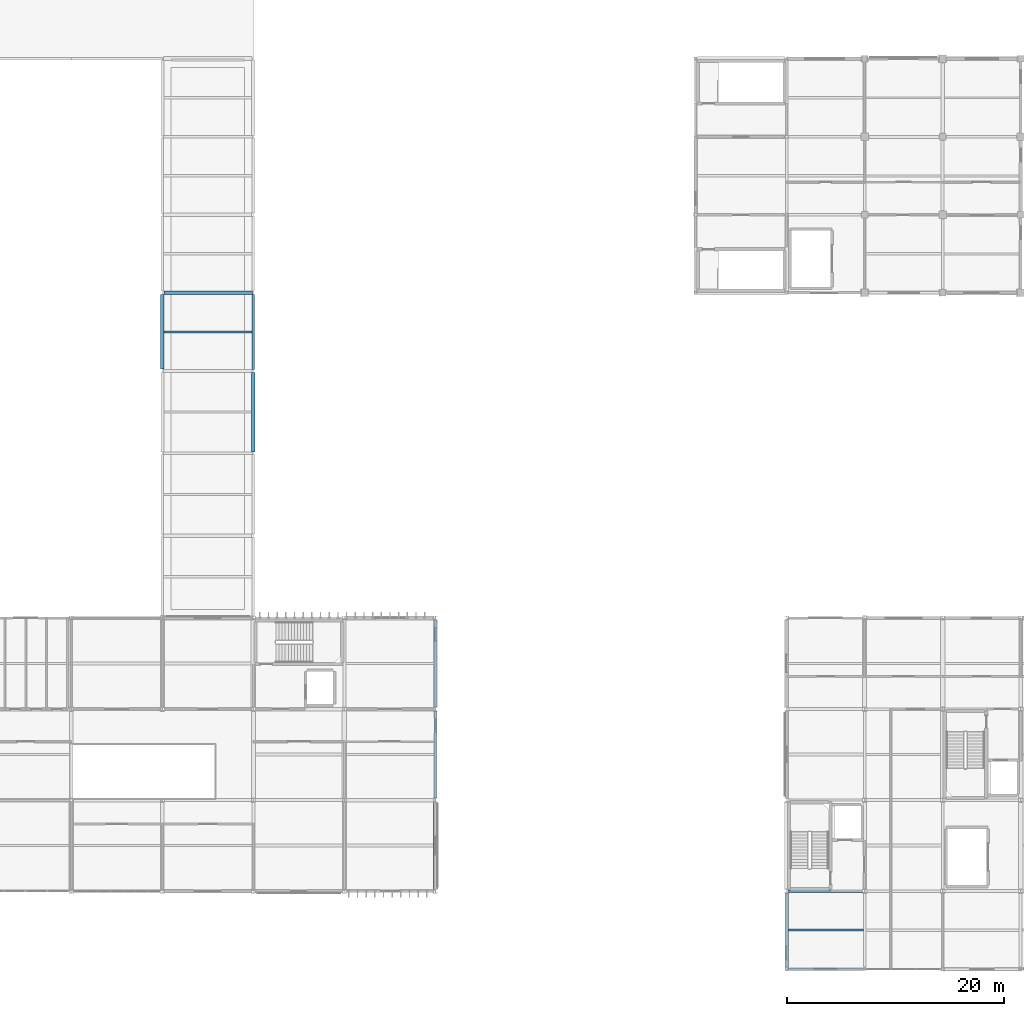
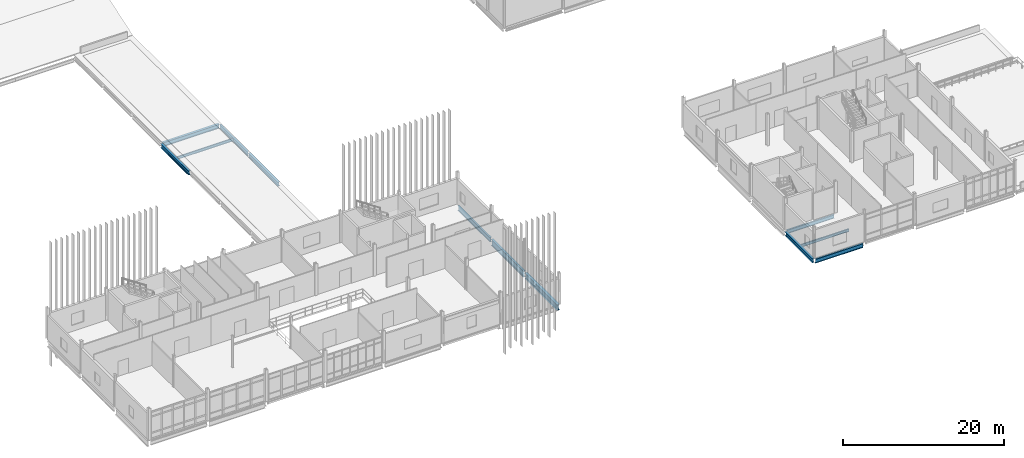
# One storey, part 21 of 72: 12 beams.
"""IFC4 building model written with IfcOpenShell, lengths in metres."""

from ifc_helpers import new_model, si_unit, direction, frame, origin, origin_2d, place, context, subcontext, project, spatial, i_section, extrude, material, material_profile, profile_set, type_object, element, save


model = new_model("IFC4")

# Units and contexts
model_context = context("Model", 3, precision=1e-05, world=origin(), true_north=direction((0.0, 1.0)))
body_context = subcontext(model_context, "Body", "Model", "MODEL_VIEW")
ifc_project = project(units=[si_unit("LENGTHUNIT", "METRE"), si_unit("AREAUNIT", "SQUARE_METRE"), si_unit("VOLUMEUNIT", "CUBIC_METRE"), si_unit("PLANEANGLEUNIT", "RADIAN"), si_unit("MASSUNIT", "GRAM", prefix="KILO")], contexts=[model_context])

# Site, building, storey
site_placement = place(None, origin())
site = spatial("IfcSite", under=ifc_project, at=site_placement, CompositionType="ELEMENT")
building_placement = place(site_placement, origin())
building = spatial("IfcBuilding", under=site, at=building_placement, Name="Calvrana Isthmian Art Gallery", CompositionType="ELEMENT")
storey_placement = place(building_placement, frame((0.0, 0.0, 15.0)))
storey = spatial("IfcBuildingStorey", under=building, at=storey_placement, Name="L03", CompositionType="ELEMENT", Elevation=15.0)

# Beams
ifc_material = material(Name="Steel ASTM A992 Gr 50", Category="steel")
ifc_material_profile_1 = material_profile(ifc_material, i_section(OverallWidth=0.214111328125, OverallDepth=0.549072265625, WebThickness=0.0146484375, FlangeThickness=0.023681640625, FilletRadius=0.02099609375, at=origin_2d()), Name="W21X93")
ifc_profile_set_1 = profile_set([ifc_material_profile_1], Name="Steel ASTM A992 Gr 50")
beam_type_1 = type_object("IfcBeamType", Name="BM-G-W21X93", PredefinedType="BEAM", material=ifc_profile_set_1)
beam_1_placement = place(storey_placement, frame((112.986572265625, 21.60009765625, -0.51953125), z_axis=(1.0, 0.0, 0.0), x_axis=(0.0, 1.0, 0.0)))
element("IfcBeam", 1, at=beam_1_placement, inside=storey, type_object=beam_type_1, Name="Girder X L03 15-16/D", PredefinedType="BEAM", context=body_context, shape_type="SweptSolid", body=[
    extrude(i_section(OverallWidth=0.214111328125, OverallDepth=0.549072265625, WebThickness=0.0146484375, FlangeThickness=0.023681640625, FilletRadius=0.02099609375, at=origin_2d()), origin(), (0.0, 0.0, 1.0), 6.81396484375),
])
ifc_material_profile_2 = material_profile(ifc_material, i_section(OverallWidth=0.324951171875, OverallDepth=0.612060546875, WebThickness=0.0126953125, FlangeThickness=0.01904296875, FilletRadius=0.02197265625, at=origin_2d()), Name="W24X104")
ifc_profile_set_2 = profile_set([ifc_material_profile_2], Name="Steel ASTM A992 Gr 50")
beam_type_2 = type_object("IfcBeamType", Name="BM-G-W24X104", PredefinedType="BEAM", material=ifc_profile_set_2)
beam_2_placement = place(storey_placement, frame((55.199951171875, 69.75244140625, -0.551025390625), z_axis=(0.0, 1.0, 0.0), x_axis=(-1.0, 0.0, 0.0)))
element("IfcBeam", 2, at=beam_2_placement, inside=storey, type_object=beam_type_2, Name="Girder Y L03 08/J-K", PredefinedType="BEAM", context=body_context, shape_type="SweptSolid", body=[
    extrude(i_section(OverallWidth=0.324951171875, OverallDepth=0.612060546875, WebThickness=0.0126953125, FlangeThickness=0.01904296875, FilletRadius=0.02197265625, at=origin_2d()), origin(), (0.0, 0.0, 1.0), 6.895263671875),
])
beam_3_placement = place(storey_placement, frame((63.60009765625, 62.1015625, -0.551025390625), z_axis=(0.0, 1.0, 0.0), x_axis=(-1.0, 0.0, 0.0)))
element("IfcBeam", 3, at=beam_3_placement, inside=storey, type_object=beam_type_2, Name="Girder Y L03 09/I-J", PredefinedType="BEAM", context=body_context, shape_type="SweptSolid", body=[
    extrude(i_section(OverallWidth=0.324951171875, OverallDepth=0.612060546875, WebThickness=0.0126953125, FlangeThickness=0.01904296875, FilletRadius=0.02197265625, at=origin_2d()), origin(), (0.0, 0.0, 1.0), 7.371337890625),
])
beam_4_placement = place(storey_placement, frame((112.800048828125, 14.58642578125, -0.551025390625), z_axis=(0.0, 1.0, 0.0), x_axis=(-1.0, 0.0, 0.0)))
element("IfcBeam", 4, at=beam_4_placement, inside=storey, type_object=beam_type_2, Name="Girder Y L03 15/C-D", PredefinedType="BEAM", context=body_context, shape_type="SweptSolid", body=[
    extrude(i_section(OverallWidth=0.324951171875, OverallDepth=0.612060546875, WebThickness=0.0126953125, FlangeThickness=0.01904296875, FilletRadius=0.02197265625, at=origin_2d()), origin(), (0.0, 0.0, 1.0), 6.8271484375),
])
ifc_material_profile_3 = material_profile(ifc_material, i_section(OverallWidth=0.327880859375, OverallDepth=0.6220703125, WebThickness=0.015380859375, FlangeThickness=0.0244140625, FilletRadius=0.02197265625, at=origin_2d()), Name="W24X131")
ifc_profile_set_3 = profile_set([ifc_material_profile_3], Name="Steel ASTM A992 Gr 50")
beam_type_3 = type_object("IfcBeamType", Name="BM-G-W24X131", PredefinedType="BEAM", material=ifc_profile_set_3)
beam_5_placement = place(storey_placement, frame((55.352294921875, 76.800048828125, -0.555908203125), z_axis=(1.0, 0.0, 0.0), x_axis=(0.0, 1.0, 0.0)))
element("IfcBeam", 5, at=beam_5_placement, inside=storey, type_object=beam_type_3, Name="Girder X L03 08-09/K", PredefinedType="BEAM", context=body_context, shape_type="SweptSolid", body=[
    extrude(i_section(OverallWidth=0.327880859375, OverallDepth=0.6220703125, WebThickness=0.015380859375, FlangeThickness=0.0244140625, FilletRadius=0.02197265625, at=origin_2d()), origin(), (0.0, 0.0, 1.0), 8.14599609375),
])
ifc_material_profile_4 = material_profile(ifc_material, i_section(OverallWidth=0.22802734375, OverallDepth=0.60693359375, WebThickness=0.01123046875, FlangeThickness=0.017333984375, FilletRadius=0.02197265625, at=origin_2d()), Name="W24X76")
ifc_profile_set_4 = profile_set([ifc_material_profile_4], Name="Steel ASTM A992 Gr 50")
beam_type_4 = type_object("IfcBeamType", Name="BM-G-W24X76", PredefinedType="BEAM", material=ifc_profile_set_4)
beam_6_placement = place(storey_placement, frame((112.986572265625, 14.39990234375, -0.548583984375), z_axis=(1.0, 0.0, 0.0), x_axis=(0.0, 1.0, 0.0)))
element("IfcBeam", 6, at=beam_6_placement, inside=storey, type_object=beam_type_4, Name="Girder X L03 15-16/C", PredefinedType="BEAM", context=body_context, shape_type="SweptSolid", body=[
    extrude(i_section(OverallWidth=0.22802734375, OverallDepth=0.60693359375, WebThickness=0.01123046875, FlangeThickness=0.017333984375, FilletRadius=0.02197265625, at=origin_2d()), origin(), (0.0, 0.0, 1.0), 6.826904296875),
])
beam_7_placement = place(storey_placement, frame((63.60009765625, 69.72705078125, -0.548583984375), z_axis=(0.0, 1.0, 0.0), x_axis=(-1.0, 0.0, 0.0)))
element("IfcBeam", 7, at=beam_7_placement, inside=storey, type_object=beam_type_4, Name="Girder Y L03 09/J-K", PredefinedType="BEAM", context=body_context, shape_type="SweptSolid", body=[
    extrude(i_section(OverallWidth=0.22802734375, OverallDepth=0.60693359375, WebThickness=0.01123046875, FlangeThickness=0.017333984375, FilletRadius=0.02197265625, at=origin_2d()), origin(), (0.0, 0.0, 1.0), 6.920654296875),
])
ifc_material_profile_5 = material_profile(ifc_material, i_section(OverallWidth=0.257080078125, OverallDepth=0.693115234375, WebThickness=0.014404296875, FlangeThickness=0.023681640625, FilletRadius=0.02392578125, at=origin_2d()), Name="W27X114")
ifc_profile_set_5 = profile_set([ifc_material_profile_5], Name="Steel ASTM A992 Gr 50")
beam_type_5 = type_object("IfcBeamType", Name="BM-G-W27X114", PredefinedType="BEAM", material=ifc_profile_set_5)
beam_8_placement = place(storey_placement, frame((80.39990234375, 38.583984375, -0.591552734375), z_axis=(0.0, 1.0, 0.0), x_axis=(-1.0, 0.0, 0.0)))
element("IfcBeam", 8, at=beam_8_placement, inside=storey, type_object=beam_type_5, Name="Girder Y L03 11/F-G", PredefinedType="BEAM", context=body_context, shape_type="SweptSolid", body=[
    extrude(i_section(OverallWidth=0.257080078125, OverallDepth=0.693115234375, WebThickness=0.014404296875, FlangeThickness=0.023681640625, FilletRadius=0.02392578125, at=origin_2d()), origin(), (0.0, 0.0, 1.0), 8.02294921875),
])
ifc_material_profile_6 = material_profile(ifc_material, i_section(OverallWidth=0.40087890625, OverallDepth=0.85595703125, WebThickness=0.018310546875, FlangeThickness=0.029296875, FilletRadius=0.02587890625, at=origin_2d()), Name="W33X201")
ifc_profile_set_6 = profile_set([ifc_material_profile_6], Name="Steel ASTM A992 Gr 50")
beam_type_6 = type_object("IfcBeamType", Name="BM-G-W33X201", PredefinedType="BEAM", material=ifc_profile_set_6)
beam_9_placement = place(storey_placement, frame((80.39990234375, 21.78662109375, -0.673095703125), z_axis=(0.0, 1.0, 0.0), x_axis=(-1.0, 0.0, 0.0)))
element("IfcBeam", 9, at=beam_9_placement, inside=storey, type_object=beam_type_6, Name="Girder Y L03 11/D-E", PredefinedType="BEAM", context=body_context, shape_type="SweptSolid", body=[
    extrude(i_section(OverallWidth=0.40087890625, OverallDepth=0.85595703125, WebThickness=0.018310546875, FlangeThickness=0.029296875, FilletRadius=0.02587890625, at=origin_2d()), origin(), (0.0, 0.0, 1.0), 8.031982421875),
])
ifc_material_profile_7 = material_profile(ifc_material, i_section(OverallWidth=0.306884765625, OverallDepth=0.927001953125, WebThickness=0.019287109375, FlangeThickness=0.031982421875, FilletRadius=0.028076171875, at=origin_2d()), Name="W36X194")
ifc_profile_set_7 = profile_set([ifc_material_profile_7], Name="Steel ASTM A992 Gr 50")
beam_type_7 = type_object("IfcBeamType", Name="BM-G-W36X194", PredefinedType="BEAM", material=ifc_profile_set_7)
beam_10_placement = place(storey_placement, frame((80.39990234375, 30.181396484375, -0.70849609375), z_axis=(0.0, 1.0, 0.0), x_axis=(-1.0, 0.0, 0.0)))
element("IfcBeam", 10, at=beam_10_placement, inside=storey, type_object=beam_type_7, Name="Girder Y L03 11/E-F", PredefinedType="BEAM", context=body_context, shape_type="SweptSolid", body=[
    extrude(i_section(OverallWidth=0.306884765625, OverallDepth=0.927001953125, WebThickness=0.019287109375, FlangeThickness=0.031982421875, FilletRadius=0.028076171875, at=origin_2d()), origin(), (0.0, 0.0, 1.0), 8.03466796875),
])
ifc_material_profile_8 = material_profile(ifc_material, i_section(OverallWidth=0.177978515625, OverallDepth=0.404052734375, WebThickness=0.007568359375, FlangeThickness=0.010986328125, FilletRadius=0.01806640625, at=origin_2d()), Name="W16X36")
ifc_profile_set_8 = profile_set([ifc_material_profile_8], Name="Steel ASTM A992 Gr 50")
beam_type_8 = type_object("IfcBeamType", Name="BM-J-W16X36", PredefinedType="JOIST", material=ifc_profile_set_8)
beam_11_placement = place(storey_placement, frame((55.362548828125, 73.199951171875, -0.447021484375), z_axis=(1.0, 0.0, 0.0), x_axis=(0.0, 1.0, 0.0)))
element("IfcBeam", 11, at=beam_11_placement, inside=storey, type_object=beam_type_8, Name="Composite joist L03 bay 07-09", PredefinedType="JOIST", context=body_context, shape_type="SweptSolid", body=[
    extrude(i_section(OverallWidth=0.177978515625, OverallDepth=0.404052734375, WebThickness=0.007568359375, FlangeThickness=0.010986328125, FilletRadius=0.01806640625, at=origin_2d()), origin(), (0.0, 0.0, 1.0), 8.12353515625),
])
beam_12_placement = place(storey_placement, frame((112.96240234375, 18.0, -0.447021484375), z_axis=(1.0, 0.0, 0.0), x_axis=(0.0, 1.0, 0.0)))
element("IfcBeam", 12, at=beam_12_placement, inside=storey, type_object=beam_type_8, Name="Composite joist L03 bay 14-02", PredefinedType="JOIST", context=body_context, shape_type="SweptSolid", body=[
    extrude(i_section(OverallWidth=0.177978515625, OverallDepth=0.404052734375, WebThickness=0.007568359375, FlangeThickness=0.010986328125, FilletRadius=0.01806640625, at=origin_2d()), origin(), (0.0, 0.0, 1.0), 6.923583984375),
])

save(model, "model.ifc")
